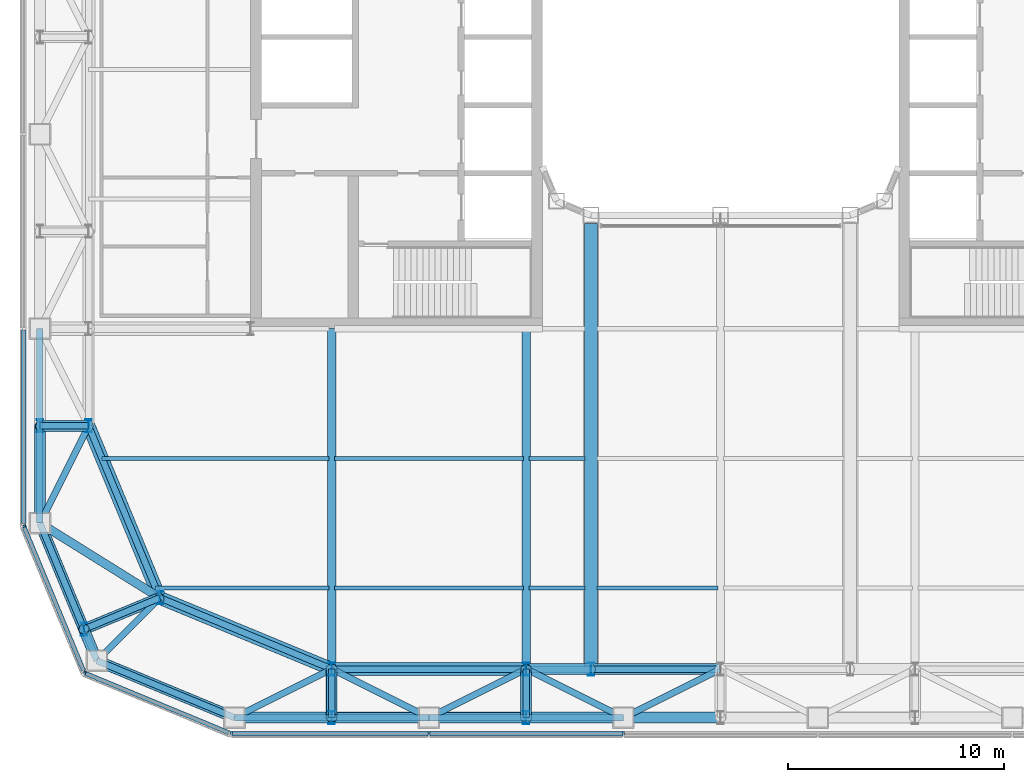
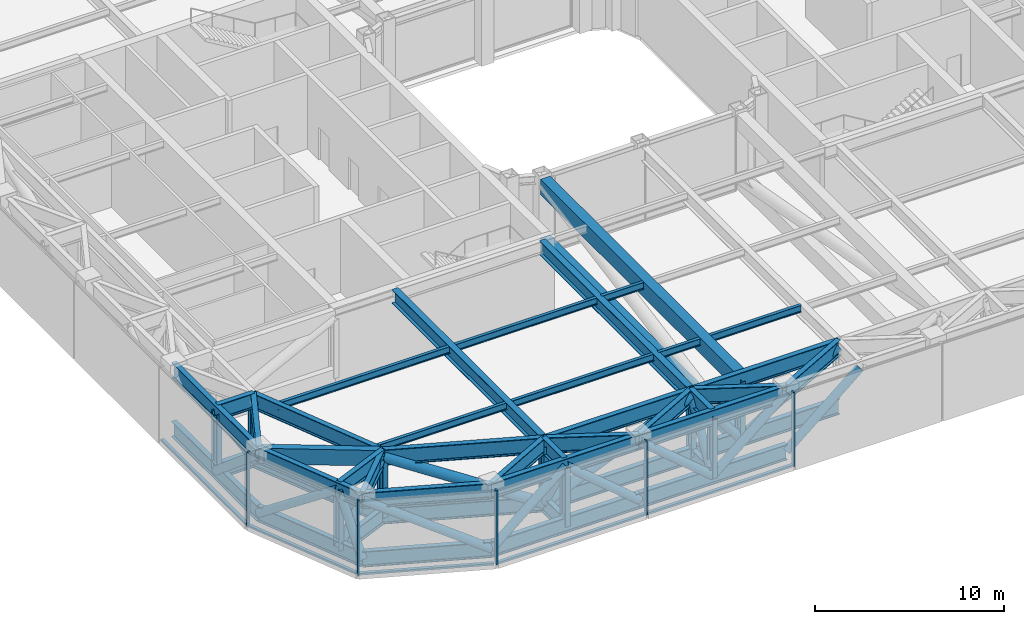
# One storey, part 2 of 33: 45 beams, 37 members, 4 elements without a shape of their own.
"""IFC4 building model written with IfcOpenShell, lengths in metres."""

from ifc_helpers import new_model, si_unit, direction, frame, origin, origin_2d, place, context, subcontext, project, spatial, rectangle, hollow_rectangle, hollow_circle, i_section, extrude, material, layer, layer_set, material_profile, profile_set, type_object, element, aggregate, save


model = new_model("IFC4")

# Units and contexts
model_context = context("Model", 3, precision=1e-05, world=origin(), true_north=direction((0.0, 1.0)))
body_context = subcontext(model_context, "Body", "Model", "MODEL_VIEW")
ifc_project = project(units=[si_unit("LENGTHUNIT", "METRE"), si_unit("AREAUNIT", "SQUARE_METRE"), si_unit("VOLUMEUNIT", "CUBIC_METRE"), si_unit("PLANEANGLEUNIT", "RADIAN"), si_unit("MASSUNIT", "GRAM", prefix="KILO")], contexts=[model_context])

# Site, building, storey
site_placement = place(None, origin())
site = spatial("IfcSite", under=ifc_project, at=site_placement, CompositionType="ELEMENT")
building_placement = place(site_placement, origin())
building = spatial("IfcBuilding", under=site, at=building_placement, Name="Siwar Civic Tower", CompositionType="ELEMENT")
storey_placement = place(building_placement, frame((0.0, 0.0, 94.199951171875)))
storey = spatial("IfcBuildingStorey", under=building, at=storey_placement, Name="L20", CompositionType="ELEMENT", Elevation=94.199951171875)

# Curtain wall, members
ifc_material_1 = material(Name="Aluminium and glass", Category="aluminium")
ifc_layer = layer(ifc_material_1, 0.199951171875)
ifc_layer_set = layer_set([ifc_layer], Name="Aluminium and glass")
curtain_wall_type = type_object("IfcCurtainWallType", Name="ENV-CW-P", PredefinedType="NOTDEFINED", material=ifc_layer_set)
curtain_wall_1_placement = place(storey_placement, origin())
curtain_wall_1 = element("IfcCurtainWall", 1, at=curtain_wall_1_placement, inside=storey, type_object=curtain_wall_type, Name="Curtain wall P S", PredefinedType="NOTDEFINED")
ifc_material_2 = material(Name="Aluminium 6063-T6", Category="aluminium")
ifc_material_profile_1 = material_profile(ifc_material_2, rectangle(XDim=0.199951171875, YDim=0.10009765625, at=origin_2d()), Name="AL 200x100")
ifc_profile_set_1 = profile_set([ifc_material_profile_1], Name="Aluminium 6063-T6")
member_type_1 = type_object("IfcMemberType", Name="ENV-MULLION-P", PredefinedType="MULLION", material=ifc_profile_set_1)
member_1_placement = place(storey_placement, frame((-22.649169921875, -32.25, 0.0), z_axis=(0.0, 0.0, 1.0), x_axis=(0.0, 1.0, 0.0)))
member_1 = element("IfcMember", 2, at=member_1_placement, type_object=member_type_1, Name="Mullion P S 1", PredefinedType="MULLION", context=body_context, shape_type="SweptSolid", body=[
    extrude(rectangle(XDim=0.199951171875, YDim=0.10009765625, at=origin_2d()), origin(), (0.0, 0.0, 1.0), 4.800048828125),
])
member_2_placement = place(storey_placement, frame((-13.5, -32.25, 0.0), z_axis=(0.0, 0.0, 1.0), x_axis=(0.0, 1.0, 0.0)))
member_2 = element("IfcMember", 3, at=member_2_placement, type_object=member_type_1, Name="Mullion P S 2", PredefinedType="MULLION", context=body_context, shape_type="SweptSolid", body=[
    extrude(rectangle(XDim=0.199951171875, YDim=0.10009765625, at=origin_2d()), origin(), (0.0, 0.0, 1.0), 4.800048828125),
])
member_3_placement = place(storey_placement, frame((-4.5, -32.25, 0.0), z_axis=(0.0, 0.0, 1.0), x_axis=(0.0, 1.0, 0.0)))
member_3 = element("IfcMember", 4, at=member_3_placement, type_object=member_type_1, Name="Mullion P S 3", PredefinedType="MULLION", context=body_context, shape_type="SweptSolid", body=[
    extrude(rectangle(XDim=0.199951171875, YDim=0.10009765625, at=origin_2d()), origin(), (0.0, 0.0, 1.0), 4.800048828125),
])

# Curtain wall, member
curtain_wall_2_placement = place(storey_placement, origin())
curtain_wall_2 = element("IfcCurtainWall", 5, at=curtain_wall_2_placement, inside=storey, type_object=curtain_wall_type, Name="Curtain wall P SW1", PredefinedType="NOTDEFINED")
member_4_placement = place(storey_placement, frame((-32.25, -22.649169921875, 0.0), z_axis=(0.0, 0.0, 1.0), x_axis=(0.923879532511, 0.382683432365, 0.0)))
member_4 = element("IfcMember", 6, at=member_4_placement, type_object=member_type_1, Name="Mullion P SW1 1", PredefinedType="MULLION", context=body_context, shape_type="SweptSolid", body=[
    extrude(rectangle(XDim=0.199951171875, YDim=0.10009765625, at=origin_2d()), origin(), (0.0, 0.0, 1.0), 4.800048828125),
])

curtain_wall_3_placement = place(storey_placement, origin())
curtain_wall_3 = element("IfcCurtainWall", 7, at=curtain_wall_3_placement, inside=storey, type_object=curtain_wall_type, Name="Curtain wall P SW2", PredefinedType="NOTDEFINED")
member_5_placement = place(storey_placement, frame((-29.43798828125, -29.43798828125, 0.0), z_axis=(0.0, 0.0, 1.0), x_axis=(0.382683432365, 0.923879532511, 0.0)))
member_5 = element("IfcMember", 8, at=member_5_placement, type_object=member_type_1, Name="Mullion P SW2 1", PredefinedType="MULLION", context=body_context, shape_type="SweptSolid", body=[
    extrude(rectangle(XDim=0.199951171875, YDim=0.10009765625, at=origin_2d()), origin(), (0.0, 0.0, 1.0), 4.800048828125),
])

# Member
ifc_material_3 = material(Name="Aluminium 6063-T6", Category="aluminium")
ifc_material_profile_2 = material_profile(ifc_material_3, rectangle(XDim=0.199951171875, YDim=0.1201171875, at=origin_2d()), Name="AL 200x120")
ifc_profile_set_2 = profile_set([ifc_material_profile_2], Name="Aluminium 6063-T6")
member_type_2 = type_object("IfcMemberType", Name="ENV-TRANSOM-P", PredefinedType="USERDEFINED", material=ifc_profile_set_2)
member_6_placement = place(storey_placement, frame((-22.59912109375, -32.25, 0.06005859375), z_axis=(1.0, 0.0, 0.0), x_axis=(0.0, 1.0, 0.0)))
member_6 = element("IfcMember", 9, at=member_6_placement, type_object=member_type_2, Name="Transom P S 1", ObjectType="TRANSOM", PredefinedType="USERDEFINED", context=body_context, shape_type="SweptSolid", body=[
    extrude(rectangle(XDim=0.199951171875, YDim=0.1201171875, at=origin_2d()), origin(), (0.0, 0.0, 1.0), 9.049072265625),
])

member_7_placement = place(storey_placement, frame((-13.449951171875, -32.25, 0.06005859375), z_axis=(1.0, 0.0, 0.0), x_axis=(0.0, 1.0, 0.0)))
member_7 = element("IfcMember", 10, at=member_7_placement, type_object=member_type_2, Name="Transom P S 2", ObjectType="TRANSOM", PredefinedType="USERDEFINED", context=body_context, shape_type="SweptSolid", body=[
    extrude(rectangle(XDim=0.199951171875, YDim=0.1201171875, at=origin_2d()), origin(), (0.0, 0.0, 1.0), 8.89990234375),
])

aggregate(curtain_wall_1, [member_1, member_2, member_3, member_6, member_7])

# Curtain wall, member
curtain_wall_4_placement = place(storey_placement, origin())
curtain_wall_4 = element("IfcCurtainWall", 11, at=curtain_wall_4_placement, inside=storey, type_object=curtain_wall_type, Name="Curtain wall P W", PredefinedType="NOTDEFINED")
member_8_placement = place(storey_placement, frame((-32.25, -13.550048828125, 0.06005859375), z_axis=(0.0, -1.0, 0.0), x_axis=(1.0, 0.0, 0.0)))
member_8 = element("IfcMember", 12, at=member_8_placement, type_object=member_type_2, Name="Transom P W 5", ObjectType="TRANSOM", PredefinedType="USERDEFINED", context=body_context, shape_type="SweptSolid", body=[
    extrude(rectangle(XDim=0.199951171875, YDim=0.1201171875, at=origin_2d()), origin(), (0.0, 0.0, 1.0), 8.97314453125),
])
aggregate(curtain_wall_4, [member_8])

# Member
member_9_placement = place(storey_placement, frame((-32.23095703125, -22.6953125, 0.06005859375), z_axis=(0.382678484395, -0.923881582012, 0.0), x_axis=(0.923881582012, 0.382678484395, 0.0)))
member_9 = element("IfcMember", 13, at=member_9_placement, type_object=member_type_2, Name="Transom P SW1 1", ObjectType="TRANSOM", PredefinedType="USERDEFINED", context=body_context, shape_type="SweptSolid", body=[
    extrude(rectangle(XDim=0.199951171875, YDim=0.1201171875, at=origin_2d()), origin(), (0.0, 0.0, 1.0), 7.172119140625),
])

aggregate(curtain_wall_2, [member_4, member_9])

member_10_placement = place(storey_placement, frame((-29.391845703125, -29.45703125, 0.06005859375), z_axis=(0.923881582012, -0.382678484395, 0.0), x_axis=(0.382678484395, 0.923881582012, 0.0)))
member_10 = element("IfcMember", 14, at=member_10_placement, type_object=member_type_2, Name="Transom P SW2 1", ObjectType="TRANSOM", PredefinedType="USERDEFINED", context=body_context, shape_type="SweptSolid", body=[
    extrude(rectangle(XDim=0.199951171875, YDim=0.1201171875, at=origin_2d()), origin(), (0.0, 0.0, 1.0), 7.172119140625),
])

aggregate(curtain_wall_3, [member_5, member_10])

# Beams
ifc_material_4 = material(Name="Steel S460", Category="steel")
ifc_material_profile_3 = material_profile(ifc_material_4, i_section(OverallWidth=0.302001953125, OverallDepth=1.008056640625, WebThickness=0.02099609375, FlangeThickness=0.0400390625, FilletRadius=0.030029296875, at=origin_2d()), Name="HEM1000")
ifc_profile_set_3 = profile_set([ifc_material_profile_3], Name="Steel S460")
beam_type_1 = type_object("IfcBeamType", Name="STR-BELT-TRUSS-CHORD-HEM1000", PredefinedType="BEAM", material=ifc_profile_set_3)
for number, where, z_axis, x_axis, name in (
    (15, (-18.0, -29.25, 0.504150390625), (1.0, 0.0, 0.0), (0.0, 1.0, 0.0), "Belt truss chord"),
    (16, (-18.0, -29.25, 4.296142578125), (1.0, 0.0, 0.0), (0.0, 1.0, 0.0), "Belt truss chord"),
    (17, (-9.0, -29.25, 0.504150390625), (1.0, 0.0, 0.0), (0.0, 1.0, 0.0), "Belt truss chord"),
    (18, (-9.0, -29.25, 4.296142578125), (1.0, 0.0, 0.0), (0.0, 1.0, 0.0), "Belt truss chord"),
):
    element("IfcBeam", number, at=place(storey_placement, frame(where, z_axis=z_axis, x_axis=x_axis)), inside=storey, type_object=beam_type_1, Name=name, PredefinedType="BEAM", context=body_context, shape_type="SweptSolid", body=[
        extrude(i_section(OverallWidth=0.302001953125, OverallDepth=1.008056640625, WebThickness=0.02099609375, FlangeThickness=0.0400390625, FilletRadius=0.030029296875, at=origin_2d()), origin(), (0.0, 0.0, 1.0), 9.0),
    ])
for number, where, z_axis, x_axis, name in (
    (19, (-29.25, -18.0, 0.504150390625), (0.382699877515, -0.923872720536, 0.0), (0.923872720536, 0.382699877515, 0.0), "Belt truss chord"),
    (20, (-29.25, -18.0, 4.296142578125), (0.382699877515, -0.923872720536, 0.0), (0.923872720536, 0.382699877515, 0.0), "Belt truss chord"),
    (21, (-25.954833984375, -25.954833984375, 0.504150390625), (0.923872720536, -0.382699877515, 0.0), (0.382699877515, 0.923872720536, 0.0), "Belt truss chord"),
    (22, (-25.954833984375, -25.954833984375, 4.296142578125), (0.923872720536, -0.382699877515, 0.0), (0.382699877515, 0.923872720536, 0.0), "Belt truss chord"),
):
    element("IfcBeam", number, at=place(storey_placement, frame(where, z_axis=z_axis, x_axis=x_axis)), inside=storey, type_object=beam_type_1, Name=name, PredefinedType="BEAM", context=body_context, shape_type="SweptSolid", body=[
        extrude(i_section(OverallWidth=0.302001953125, OverallDepth=1.008056640625, WebThickness=0.02099609375, FlangeThickness=0.0400390625, FilletRadius=0.030029296875, at=origin_2d()), origin(), (0.0, 0.0, 1.0), 8.6103515625),
    ])
for number, where, z_axis, x_axis, name in (
    (23, (-22.5, -31.5, 0.504150390625), (1.0, 0.0, 0.0), (0.0, 1.0, 0.0), "Belt truss chord"),
    (24, (-22.5, -31.5, 4.296142578125), (1.0, 0.0, 0.0), (0.0, 1.0, 0.0), "Belt truss chord"),
    (25, (-13.5, -31.5, 0.504150390625), (1.0, 0.0, 0.0), (0.0, 1.0, 0.0), "Belt truss chord"),
    (26, (-13.5, -31.5, 4.296142578125), (1.0, 0.0, 0.0), (0.0, 1.0, 0.0), "Belt truss chord"),
    (27, (-31.5, -13.5, 0.504150390625), (0.0, -1.0, 0.0), (1.0, 0.0, 0.0), "Belt truss chord"),
    (28, (-31.5, -13.5, 4.296142578125), (0.0, -1.0, 0.0), (1.0, 0.0, 0.0), "Belt truss chord"),
):
    element("IfcBeam", number, at=place(storey_placement, frame(where, z_axis=z_axis, x_axis=x_axis)), inside=storey, type_object=beam_type_1, Name=name, PredefinedType="BEAM", context=body_context, shape_type="SweptSolid", body=[
        extrude(i_section(OverallWidth=0.302001953125, OverallDepth=1.008056640625, WebThickness=0.02099609375, FlangeThickness=0.0400390625, FilletRadius=0.030029296875, at=origin_2d()), origin(), (0.0, 0.0, 1.0), 9.0),
    ])
for number, where, z_axis, x_axis, name in (
    (29, (-31.5, -22.5, 0.504150390625), (0.382674207535, -0.923883353507, 0.0), (0.923883353507, 0.382674207535, 0.0), "Belt truss chord"),
    (30, (-31.5, -22.5, 4.296142578125), (0.382674207535, -0.923883353507, 0.0), (0.923883353507, 0.382674207535, 0.0), "Belt truss chord"),
    (31, (-28.864013671875, -28.864013671875, 0.504150390625), (0.923883353507, -0.382674207535, 0.0), (0.382674207535, 0.923883353507, 0.0), "Belt truss chord"),
    (32, (-28.864013671875, -28.864013671875, 4.296142578125), (0.923883353507, -0.382674207535, 0.0), (0.382674207535, 0.923883353507, 0.0), "Belt truss chord"),
):
    element("IfcBeam", number, at=place(storey_placement, frame(where, z_axis=z_axis, x_axis=x_axis)), inside=storey, type_object=beam_type_1, Name=name, PredefinedType="BEAM", context=body_context, shape_type="SweptSolid", body=[
        extrude(i_section(OverallWidth=0.302001953125, OverallDepth=1.008056640625, WebThickness=0.02099609375, FlangeThickness=0.0400390625, FilletRadius=0.030029296875, at=origin_2d()), origin(), (0.0, 0.0, 1.0), 6.888427734375),
    ])

# Members
ifc_material_5 = material(Name="Steel S355", Category="steel")
ifc_material_profile_4 = material_profile(ifc_material_5, hollow_circle(Radius=0.25390625, WallThickness=0.02490234375, at=origin_2d()), Name="CHS508x25")
ifc_profile_set_4 = profile_set([ifc_material_profile_4], Name="Steel S355")
member_type_3 = type_object("IfcMemberType", Name="STR-BELT-TRUSS-DIAGONAL-CHS508x25", PredefinedType="BRACE", material=ifc_profile_set_4)
member_11_placement = place(storey_placement, frame((-5.996826171875, -29.25, 0.500244140625), z_axis=(-0.620470608021, 0.0, 0.784229701416), x_axis=(0.0, -1.0, 0.0)))
element("IfcMember", 33, at=member_11_placement, inside=storey, type_object=member_type_3, Name="Belt truss diagonal", PredefinedType="BRACE", context=body_context, shape_type="SweptSolid", body=[
    extrude(hollow_circle(Radius=0.25390625, WallThickness=0.02490234375, at=origin_2d()), origin(), (0.0, 0.0, 1.0), 4.84521484375),
])
member_12_placement = place(storey_placement, frame((-6.004150390625, -29.25, 0.50146484375), z_axis=(0.845320722688, 0.0, 0.534259184099), x_axis=(0.0, 1.0, 0.0)))
element("IfcMember", 34, at=member_12_placement, inside=storey, type_object=member_type_3, Name="Belt truss diagonal", PredefinedType="BRACE", context=body_context, shape_type="SweptSolid", body=[
    extrude(hollow_circle(Radius=0.25390625, WallThickness=0.02490234375, at=origin_2d()), origin(), (0.0, 0.0, 1.0), 7.107666015625),
])
for number, where, z_axis, x_axis, name in (
    (35, (-22.50390625, -31.5, 0.500732421875), (0.764699580999, 0.0, 0.644386957364), (0.0, 1.0, 0.0), "Belt truss diagonal"),
    (36, (-13.49609375, -31.5, 0.500732421875), (-0.764699580999, 0.0, 0.644386957364), (0.0, -1.0, 0.0), "Belt truss diagonal"),
    (37, (-8.99609375, -31.5, 0.500732421875), (-0.764699580999, 0.0, 0.644386957364), (0.0, -1.0, 0.0), "Belt truss diagonal"),
    (38, (-9.00390625, -31.5, 0.500732421875), (0.764699580999, 0.0, 0.644386957364), (0.0, 1.0, 0.0), "Belt truss diagonal"),
    (39, (-4.50390625, -31.5, 0.500732421875), (0.764699580999, 0.0, 0.644386957364), (0.0, 1.0, 0.0), "Belt truss diagonal"),
    (40, (-31.5, -17.99609375, 0.500732421875), (0.0, -0.764699580999, 0.644386957364), (1.0, 0.0, 0.0), "Belt truss diagonal"),
):
    element("IfcMember", number, at=place(storey_placement, frame(where, z_axis=z_axis, x_axis=x_axis)), inside=storey, type_object=member_type_3, Name=name, PredefinedType="BRACE", context=body_context, shape_type="SweptSolid", body=[
        extrude(hollow_circle(Radius=0.25390625, WallThickness=0.02490234375, at=origin_2d()), origin(), (0.0, 0.0, 1.0), 5.894775390625),
    ])
member_13_placement = place(storey_placement, frame((-31.50146484375, -22.496337890625, 0.501220703125), z_axis=(0.311494757226, -0.752038409319, 0.580869389045), x_axis=(0.923883767876, 0.382673207131, 0.0)))
element("IfcMember", 41, at=member_13_placement, inside=storey, type_object=member_type_3, Name="Belt truss diagonal", PredefinedType="BRACE", context=body_context, shape_type="SweptSolid", body=[
    extrude(hollow_circle(Radius=0.25390625, WallThickness=0.02490234375, at=origin_2d()), origin(), (0.0, 0.0, 1.0), 6.538330078125),
])
member_14_placement = place(storey_placement, frame((-28.86328125, -28.86572265625, 0.49951171875), z_axis=(-0.146750551802, 0.35424183321, 0.92356753903), x_axis=(-0.923862215035, -0.382725237776, 0.0)))
element("IfcMember", 42, at=member_14_placement, inside=storey, type_object=member_type_3, Name="Belt truss diagonal", PredefinedType="BRACE", context=body_context, shape_type="SweptSolid", body=[
    extrude(hollow_circle(Radius=0.25390625, WallThickness=0.02490234375, at=origin_2d()), origin(), (0.0, 0.0, 1.0), 4.115966796875),
])
member_15_placement = place(storey_placement, frame((-22.495849609375, -31.501708984375, 0.501708984375), z_axis=(-0.80935725849, 0.335247560212, 0.48223428072), x_axis=(-0.38268421859, -0.923879206846, 0.0)))
element("IfcMember", 43, at=member_15_placement, inside=storey, type_object=member_type_3, Name="Belt truss diagonal", PredefinedType="BRACE", context=body_context, shape_type="SweptSolid", body=[
    extrude(hollow_circle(Radius=0.25390625, WallThickness=0.02490234375, at=origin_2d()), origin(), (0.0, 0.0, 1.0), 7.873046875),
])
for number, where, z_axis, x_axis, name in (
    (44, (-18.0, -29.24755859375, 0.499755859375), (0.0, -0.510256630496, 0.860022192176), (1.0, 0.0, 0.0), "Belt truss diagonal"),
    (45, (-9.0, -31.50244140625, 0.499755859375), (0.0, 0.510256630496, 0.860022192176), (-1.0, 0.0, 0.0), "Belt truss diagonal"),
    (46, (-29.24755859375, -18.0, 0.499755859375), (-0.510256630496, 0.0, 0.860022192176), (0.0, -1.0, 0.0), "Belt truss diagonal"),
):
    element("IfcMember", number, at=place(storey_placement, frame(where, z_axis=z_axis, x_axis=x_axis)), inside=storey, type_object=member_type_3, Name=name, PredefinedType="BRACE", context=body_context, shape_type="SweptSolid", body=[
        extrude(hollow_circle(Radius=0.25390625, WallThickness=0.02490234375, at=origin_2d()), origin(), (0.0, 0.0, 1.0), 4.419189453125),
    ])
member_16_placement = place(storey_placement, frame((-29.4697265625, -27.410888671875, 0.50048828125), z_axis=(0.654040061492, 0.270920550107, 0.706281568139), x_axis=(-0.382693423148, 0.92387539413, 0.0)))
element("IfcMember", 47, at=member_16_placement, inside=storey, type_object=member_type_3, Name="Belt truss diagonal", PredefinedType="BRACE", context=body_context, shape_type="SweptSolid", body=[
    extrude(hollow_circle(Radius=0.25390625, WallThickness=0.02490234375, at=origin_2d()), origin(), (0.0, 0.0, 1.0), 5.37890625),
])
ifc_material_6 = material(Name="Steel S355", Category="steel")
ifc_material_profile_5 = material_profile(ifc_material_6, hollow_circle(Radius=0.304931640625, WallThickness=0.030029296875, at=origin_2d()), Name="CHS610x30")
ifc_profile_set_5 = profile_set([ifc_material_profile_5], Name="Steel S355")
member_type_4 = type_object("IfcMemberType", Name="STR-BELT-TRUSS-DIAGONAL-CHS610x30", PredefinedType="BRACE", material=ifc_profile_set_5)
member_17_placement = place(storey_placement, frame((-18.004638671875, -29.25, 0.502197265625), z_axis=(0.921543214524, 0.0, 0.388275808884), x_axis=(0.0, 1.0, 0.0)))
element("IfcMember", 48, at=member_17_placement, inside=storey, type_object=member_type_4, Name="Belt truss diagonal", PredefinedType="BRACE", context=body_context, shape_type="SweptSolid", body=[
    extrude(hollow_circle(Radius=0.304931640625, WallThickness=0.030029296875, at=origin_2d()), origin(), (0.0, 0.0, 1.0), 9.7763671875),
])
for number, where, z_axis, x_axis, name in (
    (49, (-29.251708984375, -17.995849609375, 0.501953125), (0.350226651172, -0.845510540146, 0.403054858935), (0.923877709708, 0.382687832972, 0.0), "Belt truss diagonal"),
    (50, (-17.995849609375, -29.251708984375, 0.501953125), (-0.845510540146, 0.350226651172, 0.403054858935), (-0.382687832972, -0.923877709708, 0.0), "Belt truss diagonal"),
):
    element("IfcMember", number, at=place(storey_placement, frame(where, z_axis=z_axis, x_axis=x_axis)), inside=storey, type_object=member_type_4, Name=name, PredefinedType="BRACE", context=body_context, shape_type="SweptSolid", body=[
        extrude(hollow_circle(Radius=0.304931640625, WallThickness=0.030029296875, at=origin_2d()), origin(), (0.0, 0.0, 1.0), 9.41845703125),
    ])

# Beams
ifc_material_7 = material(Name="Steel S460", Category="steel")
ifc_material_profile_6 = material_profile(ifc_material_7, i_section(OverallWidth=0.302001953125, OverallDepth=1.008056640625, WebThickness=0.02099609375, FlangeThickness=0.0400390625, FilletRadius=0.030029296875, at=origin_2d()), Name="HEM1000")
ifc_profile_set_6 = profile_set([ifc_material_profile_6], Name="Steel S460")
beam_type_2 = type_object("IfcBeamType", Name="STR-BELT-TRUSS-LADDER-CHORD-HEM1000", PredefinedType="BEAM", material=ifc_profile_set_6)
for number, where, z_axis, x_axis, name in (
    (51, (-18.0, -29.25, 0.504150390625), (0.0, -1.0, 0.0), (1.0, 0.0, 0.0), "Belt truss ladder chord"),
    (52, (-18.0, -29.25, 4.296142578125), (0.0, -1.0, 0.0), (1.0, 0.0, 0.0), "Belt truss ladder chord"),
    (53, (-9.0, -29.25, 0.504150390625), (0.0, -1.0, 0.0), (1.0, 0.0, 0.0), "Belt truss ladder chord"),
    (54, (-9.0, -29.25, 4.296142578125), (0.0, -1.0, 0.0), (1.0, 0.0, 0.0), "Belt truss ladder chord"),
    (55, (-29.25, -18.0, 0.504150390625), (-1.0, 0.0, 0.0), (0.0, -1.0, 0.0), "Belt truss ladder chord"),
    (56, (-29.25, -18.0, 4.296142578125), (-1.0, 0.0, 0.0), (0.0, -1.0, 0.0), "Belt truss ladder chord"),
):
    element("IfcBeam", number, at=place(storey_placement, frame(where, z_axis=z_axis, x_axis=x_axis)), inside=storey, type_object=beam_type_2, Name=name, PredefinedType="BEAM", context=body_context, shape_type="SweptSolid", body=[
        extrude(i_section(OverallWidth=0.302001953125, OverallDepth=1.008056640625, WebThickness=0.02099609375, FlangeThickness=0.0400390625, FilletRadius=0.030029296875, at=origin_2d()), origin(), (0.0, 0.0, 1.0), 2.25),
    ])
for number, where, z_axis, x_axis, name in (
    (57, (-25.954833984375, -25.954833984375, 0.504150390625), (-0.923880619824, -0.382680807349, 0.0), (0.382680807349, -0.923880619824, 0.0), "Belt truss ladder chord"),
    (58, (-25.954833984375, -25.954833984375, 4.296142578125), (-0.923880619824, -0.382680807349, 0.0), (0.382680807349, -0.923880619824, 0.0), "Belt truss ladder chord"),
):
    element("IfcBeam", number, at=place(storey_placement, frame(where, z_axis=z_axis, x_axis=x_axis)), inside=storey, type_object=beam_type_2, Name=name, PredefinedType="BEAM", context=body_context, shape_type="SweptSolid", body=[
        extrude(i_section(OverallWidth=0.302001953125, OverallDepth=1.008056640625, WebThickness=0.02099609375, FlangeThickness=0.0400390625, FilletRadius=0.030029296875, at=origin_2d()), origin(), (0.0, 0.0, 1.0), 3.801025390625),
    ])

# Members
ifc_material_8 = material(Name="Steel S355", Category="steel")
ifc_material_profile_7 = material_profile(ifc_material_8, i_section(OverallWidth=0.300048828125, OverallDepth=0.60009765625, WebThickness=0.015380859375, FlangeThickness=0.030029296875, FilletRadius=0.027099609375, at=origin_2d()), Name="HEB600")
ifc_profile_set_7 = profile_set([ifc_material_profile_7], Name="Steel S355")
member_type_5 = type_object("IfcMemberType", Name="STR-BELT-TRUSS-POST-HEB600", PredefinedType="POST", material=ifc_profile_set_7)
for number, where, z_axis, x_axis, name in (
    (59, (-31.5, -18.0, 0.504150390625), (0.0, 0.0, 1.0), (1.0, 0.0, 0.0), "Belt truss post"),
    (60, (-29.466552734375, -27.409423828125, 0.504150390625), (0.0, 0.0, 1.0), (1.0, 0.0, 0.0), "Belt truss post"),
    (61, (-29.25, -18.0, 0.504150390625), (0.0, 0.0, 1.0), (1.0, 0.0, 0.0), "Belt truss post"),
    (62, (-25.954833984375, -25.954833984375, 0.504150390625), (0.0, 0.0, 1.0), (1.0, 0.0, 0.0), "Belt truss post"),
    (63, (-18.0, -31.5, 0.504150390625), (0.0, 0.0, 1.0), (1.0, 0.0, 0.0), "Belt truss post"),
    (64, (-18.0, -29.25, 0.504150390625), (0.0, 0.0, 1.0), (1.0, 0.0, 0.0), "Belt truss post"),
    (65, (-9.0, -31.5, 0.504150390625), (0.0, 0.0, 1.0), (1.0, 0.0, 0.0), "Belt truss post"),
    (66, (-9.0, -29.25, 0.504150390625), (0.0, 0.0, 1.0), (1.0, 0.0, 0.0), "Belt truss post"),
    (67, (-6.0, -29.25, 0.504150390625), (0.0, 0.0, 1.0), (1.0, 0.0, 0.0), "Belt truss post"),
):
    element("IfcMember", number, at=place(storey_placement, frame(where, z_axis=z_axis, x_axis=x_axis)), inside=storey, type_object=member_type_5, Name=name, PredefinedType="POST", context=body_context, shape_type="SweptSolid", body=[
        extrude(i_section(OverallWidth=0.300048828125, OverallDepth=0.60009765625, WebThickness=0.015380859375, FlangeThickness=0.030029296875, FilletRadius=0.027099609375, at=origin_2d()), origin(), (0.0, 0.0, 1.0), 3.7919921875),
    ])

# Beams
ifc_material_9 = material(Name="Steel S355", Category="steel")
ifc_material_profile_8 = material_profile(ifc_material_9, i_section(OverallWidth=0.18994140625, OverallDepth=0.449951171875, WebThickness=0.009521484375, FlangeThickness=0.0146484375, FilletRadius=0.02099609375, at=origin_2d()), Name="IPE450")
ifc_profile_set_8 = profile_set([ifc_material_profile_8], Name="Steel S355")
beam_type_3 = type_object("IfcBeamType", Name="STR-FB-IPE450", PredefinedType="JOIST", material=ifc_profile_set_8)
beam_1_placement = place(storey_placement, frame((-26.143310546875, -25.5, 4.574951171875), z_axis=(1.0, 0.0, 0.0), x_axis=(0.0, 1.0, 0.0)))
element("IfcBeam", 68, at=beam_1_placement, inside=storey, type_object=beam_type_3, Name="L20/bm/F001", PredefinedType="JOIST", context=body_context, shape_type="SweptSolid", body=[
    extrude(i_section(OverallWidth=0.18994140625, OverallDepth=0.449951171875, WebThickness=0.009521484375, FlangeThickness=0.0146484375, FilletRadius=0.02099609375, at=origin_2d()), origin(), (0.0, 0.0, 1.0), 8.013427734375),
])
beam_2_placement = place(storey_placement, frame((-17.8701171875, -25.5, 4.574951171875), z_axis=(1.0, 0.0, 0.0), x_axis=(0.0, 1.0, 0.0)))
element("IfcBeam", 69, at=beam_2_placement, inside=storey, type_object=beam_type_3, Name="L20/bm/F002", PredefinedType="JOIST", context=body_context, shape_type="SweptSolid", body=[
    extrude(i_section(OverallWidth=0.18994140625, OverallDepth=0.449951171875, WebThickness=0.009521484375, FlangeThickness=0.0146484375, FilletRadius=0.02099609375, at=origin_2d()), origin(), (0.0, 0.0, 1.0), 8.740234375),
])
beam_3_placement = place(storey_placement, frame((-8.8701171875, -25.5, 4.574951171875), z_axis=(1.0, 0.0, 0.0), x_axis=(0.0, 1.0, 0.0)))
element("IfcBeam", 70, at=beam_3_placement, inside=storey, type_object=beam_type_3, Name="L20/bm/F003", PredefinedType="JOIST", context=body_context, shape_type="SweptSolid", body=[
    extrude(i_section(OverallWidth=0.18994140625, OverallDepth=0.449951171875, WebThickness=0.009521484375, FlangeThickness=0.0146484375, FilletRadius=0.02099609375, at=origin_2d()), origin(), (0.0, 0.0, 1.0), 2.590087890625),
])
beam_4_placement = place(storey_placement, frame((-5.719970703125, -25.5, 4.574951171875), z_axis=(1.0, 0.0, 0.0), x_axis=(0.0, 1.0, 0.0)))
element("IfcBeam", 71, at=beam_4_placement, inside=storey, type_object=beam_type_3, Name="L20/bm/F004", PredefinedType="JOIST", context=body_context, shape_type="SweptSolid", body=[
    extrude(i_section(OverallWidth=0.18994140625, OverallDepth=0.449951171875, WebThickness=0.009521484375, FlangeThickness=0.0146484375, FilletRadius=0.02099609375, at=origin_2d()), origin(), (0.0, 0.0, 1.0), 5.590087890625),
])
beam_5_placement = place(storey_placement, frame((-28.628662109375, -19.5, 4.574951171875), z_axis=(1.0, 0.0, 0.0), x_axis=(0.0, 1.0, 0.0)))
element("IfcBeam", 72, at=beam_5_placement, inside=storey, type_object=beam_type_3, Name="L20/bm/F009", PredefinedType="JOIST", context=body_context, shape_type="SweptSolid", body=[
    extrude(i_section(OverallWidth=0.18994140625, OverallDepth=0.449951171875, WebThickness=0.009521484375, FlangeThickness=0.0146484375, FilletRadius=0.02099609375, at=origin_2d()), origin(), (0.0, 0.0, 1.0), 10.498779296875),
])
beam_6_placement = place(storey_placement, frame((-17.8701171875, -19.5, 4.574951171875), z_axis=(1.0, 0.0, 0.0), x_axis=(0.0, 1.0, 0.0)))
element("IfcBeam", 73, at=beam_6_placement, inside=storey, type_object=beam_type_3, Name="L20/bm/F010", PredefinedType="JOIST", context=body_context, shape_type="SweptSolid", body=[
    extrude(i_section(OverallWidth=0.18994140625, OverallDepth=0.449951171875, WebThickness=0.009521484375, FlangeThickness=0.0146484375, FilletRadius=0.02099609375, at=origin_2d()), origin(), (0.0, 0.0, 1.0), 8.740234375),
])
beam_7_placement = place(storey_placement, frame((-8.8701171875, -19.5, 4.574951171875), z_axis=(1.0, 0.0, 0.0), x_axis=(0.0, 1.0, 0.0)))
element("IfcBeam", 74, at=beam_7_placement, inside=storey, type_object=beam_type_3, Name="L20/bm/F011", PredefinedType="JOIST", context=body_context, shape_type="SweptSolid", body=[
    extrude(i_section(OverallWidth=0.18994140625, OverallDepth=0.449951171875, WebThickness=0.009521484375, FlangeThickness=0.0146484375, FilletRadius=0.02099609375, at=origin_2d()), origin(), (0.0, 0.0, 1.0), 2.590087890625),
])
ifc_material_10 = material(Name="Steel S460", Category="steel")
ifc_material_profile_9 = material_profile(ifc_material_10, hollow_rectangle(XDim=0.60009765625, YDim=1.008056640625, WallThickness=0.06005859375, at=origin_2d()), Name="BOX1008x600x60")
ifc_profile_set_9 = profile_set([ifc_material_profile_9], Name="Steel S460")
beam_type_4 = type_object("IfcBeamType", Name="STR-OUTRIGGER-TRUSS-CHORD-BOX1008x600x60", PredefinedType="BEAM", material=ifc_profile_set_9)
for number, where, z_axis, x_axis, name in (
    (75, (-6.0, -29.25, 0.504150390625), (0.0, 1.0, 0.0), (-1.0, 0.0, 0.0), "Outrigger truss chord"),
    (76, (-6.0, -29.25, 4.296142578125), (0.0, 1.0, 0.0), (-1.0, 0.0, 0.0), "Outrigger truss chord"),
):
    element("IfcBeam", number, at=place(storey_placement, frame(where, z_axis=z_axis, x_axis=x_axis)), inside=storey, type_object=beam_type_4, Name=name, PredefinedType="BEAM", context=body_context, shape_type="SweptSolid", body=[
        extrude(hollow_rectangle(XDim=0.60009765625, YDim=1.008056640625, WallThickness=0.06005859375, at=origin_2d()), origin(), (0.0, 0.0, 1.0), 20.625),
    ])
ifc_material_11 = material(Name="Steel S355", Category="steel")
ifc_material_profile_10 = material_profile(ifc_material_11, i_section(OverallWidth=0.3798828125, OverallDepth=0.89990234375, WebThickness=0.01611328125, FlangeThickness=0.035888671875, at=origin_2d()), Name="PG900x380x16x36")
ifc_profile_set_10 = profile_set([ifc_material_profile_10], Name="Steel S355")
beam_type_5 = type_object("IfcBeamType", Name="STR-PG-PG900x380x16x36", PredefinedType="BEAM", material=ifc_profile_set_10)
for number, where, z_axis, x_axis, name in (
    (77, (-18.0, -29.25, 4.35009765625), (0.0, 1.0, 0.0), (-1.0, 0.0, 0.0), "L20/bm/G01"),
    (78, (-9.0, -29.25, 4.35009765625), (0.0, 1.0, 0.0), (-1.0, 0.0, 0.0), "L20/bm/G03"),
):
    element("IfcBeam", number, at=place(storey_placement, frame(where, z_axis=z_axis, x_axis=x_axis)), inside=storey, type_object=beam_type_5, Name=name, PredefinedType="BEAM", context=body_context, shape_type="SweptSolid", body=[
        extrude(i_section(OverallWidth=0.3798828125, OverallDepth=0.89990234375, WebThickness=0.01611328125, FlangeThickness=0.035888671875, at=origin_2d()), origin(), (0.0, 0.0, 1.0), 15.75),
    ])
ifc_material_12 = material(Name="Steel S460", Category="steel")
ifc_material_profile_11 = material_profile(ifc_material_12, hollow_rectangle(XDim=0.39990234375, YDim=1.008056640625, WallThickness=0.0400390625, at=origin_2d()), Name="BOX1008x400x40")
ifc_profile_set_11 = profile_set([ifc_material_profile_11], Name="Steel S460")
beam_type_6 = type_object("IfcBeamType", Name="STR-TRANSFER-GIRDER-BOX1008x400x40", PredefinedType="BEAM", material=ifc_profile_set_11)
beam_8_placement = place(storey_placement, frame((-25.954833984375, -25.954833984375, 4.296142578125), z_axis=(-0.848746922137, 0.528799264525, 0.0), x_axis=(-0.528799264525, -0.848746922137, 0.0)))
element("IfcBeam", 79, at=beam_8_placement, inside=storey, type_object=beam_type_6, Name="Transfer girder", PredefinedType="BEAM", context=body_context, shape_type="SweptSolid", body=[
    extrude(hollow_rectangle(XDim=0.39990234375, YDim=1.008056640625, WallThickness=0.0400390625, at=origin_2d()), origin(), (0.0, 0.0, 1.0), 6.533447265625),
])
ifc_material_13 = material(Name="Steel S460", Category="steel")
ifc_material_profile_12 = material_profile(ifc_material_13, i_section(OverallWidth=0.302001953125, OverallDepth=1.008056640625, WebThickness=0.02099609375, FlangeThickness=0.0400390625, FilletRadius=0.030029296875, at=origin_2d()), Name="HEM1000")
ifc_profile_set_12 = profile_set([ifc_material_profile_12], Name="Steel S460")
beam_type_7 = type_object("IfcBeamType", Name="STR-TRANSFER-GIRDER-HEM1000", PredefinedType="BEAM", material=ifc_profile_set_12)
for number, where, z_axis, x_axis, name in (
    (80, (-18.0, -29.25, 4.296142578125), (-0.894427191, -0.4472135955, 0.0), (0.4472135955, -0.894427191, 0.0), "Transfer girder"),
    (81, (-18.0, -29.25, 4.296142578125), (0.894427191, -0.4472135955, 0.0), (0.4472135955, 0.894427191, 0.0), "Transfer girder"),
    (82, (-9.0, -29.25, 4.296142578125), (-0.894427191, -0.4472135955, 0.0), (0.4472135955, -0.894427191, 0.0), "Transfer girder"),
    (83, (-9.0, -29.25, 4.296142578125), (0.894427191, -0.4472135955, 0.0), (0.4472135955, 0.894427191, 0.0), "Transfer girder"),
    (84, (0.0, -29.25, 4.296142578125), (-0.894427191, -0.4472135955, 0.0), (0.4472135955, -0.894427191, 0.0), "Transfer girder"),
    (85, (-29.25, -18.0, 4.296142578125), (-0.4472135955, -0.894427191, 0.0), (0.894427191, -0.4472135955, 0.0), "Transfer girder"),
):
    element("IfcBeam", number, at=place(storey_placement, frame(where, z_axis=z_axis, x_axis=x_axis)), inside=storey, type_object=beam_type_7, Name=name, PredefinedType="BEAM", context=body_context, shape_type="SweptSolid", body=[
        extrude(i_section(OverallWidth=0.302001953125, OverallDepth=1.008056640625, WebThickness=0.02099609375, FlangeThickness=0.0400390625, FilletRadius=0.030029296875, at=origin_2d()), origin(), (0.0, 0.0, 1.0), 5.03125),
    ])
beam_9_placement = place(storey_placement, frame((-25.954833984375, -25.954833984375, 4.296142578125), z_axis=(-0.707106781187, -0.707106781187, 0.0), x_axis=(0.707106781187, -0.707106781187, 0.0)))
element("IfcBeam", 86, at=beam_9_placement, inside=storey, type_object=beam_type_7, Name="Transfer girder", PredefinedType="BEAM", context=body_context, shape_type="SweptSolid", body=[
    extrude(i_section(OverallWidth=0.302001953125, OverallDepth=1.008056640625, WebThickness=0.02099609375, FlangeThickness=0.0400390625, FilletRadius=0.030029296875, at=origin_2d()), origin(), (0.0, 0.0, 1.0), 4.1142578125),
])

save(model, "model.ifc")
